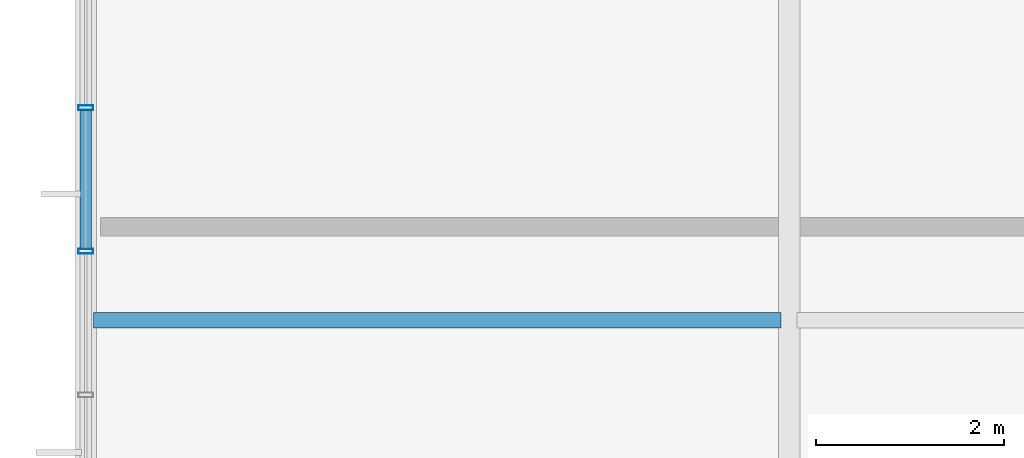
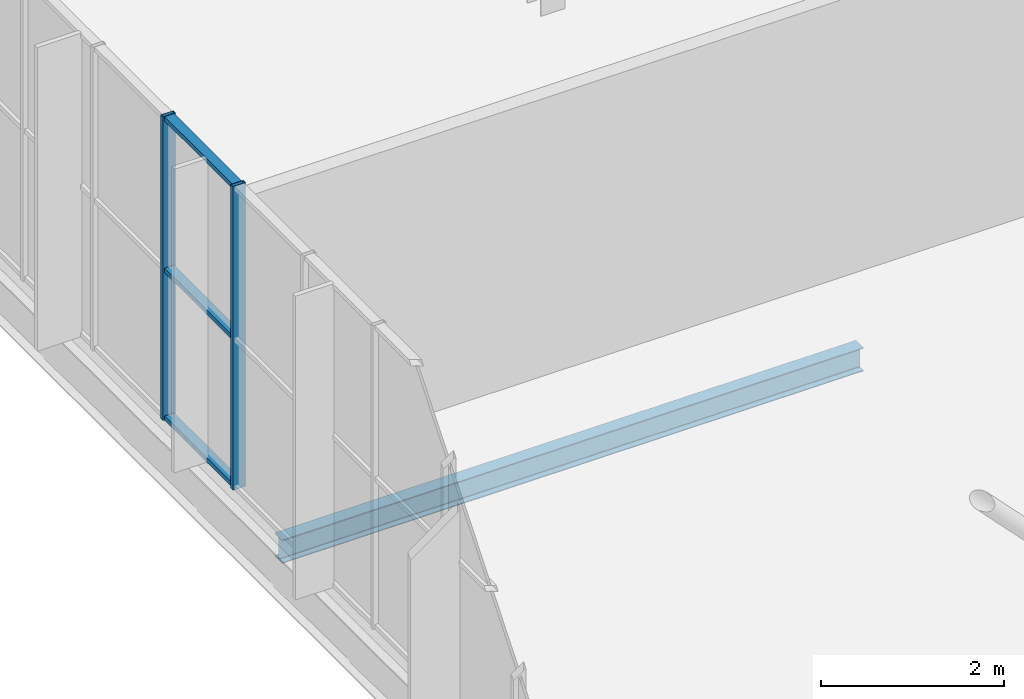
# One storey, part 38 of 324: 5 members, 1 beam, 1 element without a shape of its own.
"""IFC4 building model written with IfcOpenShell, lengths in metres."""

import ifcopenshell
import ifcopenshell.guid

model = None  # the IFC model being written
_history = None  # IfcOwnerHistory: only IFC2X3 demands one
_inside = {}  # id of a spatial element -> (the spatial element, [elements in it])
_under = {}  # id of a project, library or spatial element -> (it, [spatial elements below it])
_declared = {}  # id of a project -> (the project, [libraries it declares])
_typed = {}  # id of a type object -> (the type object, [elements of that type])
_made_of = {}  # id of a material, layer set ... -> (it, [elements and type objects made of it])


def new_model(schema):
    """Start an empty IFC model of exactly this schema.

    Asked for "IFC4X3", IfcOpenShell would pick the latest addendum, in which some entities
    have other attributes; the version numbers below select the first issue.
    IFC2X3 requires an IfcOwnerHistory on every rooted entity: one is made here for all.
    """
    global model, _history
    if schema == "IFC4X3":
        model = ifcopenshell.file(schema_version=(4, 3, 0, 0))
    else:
        model = ifcopenshell.file(schema=schema)
    _inside.clear()
    _under.clear()
    _declared.clear()
    _typed.clear()
    _made_of.clear()
    _history = None
    if model.schema == "IFC2X3":
        org = make("IfcOrganization", Name="unknown")
        user = make(
            "IfcPersonAndOrganization",
            ThePerson=make("IfcPerson", FamilyName="unknown"),
            TheOrganization=org,
        )
        app = make(
            "IfcApplication",
            ApplicationDeveloper=org,
            Version="unknown",
            ApplicationFullName="unknown",
            ApplicationIdentifier="unknown",
        )
        _history = make(
            "IfcOwnerHistory",
            OwningUser=user,
            OwningApplication=app,
            ChangeAction="ADDED",
            CreationDate=0,
        )
    return model


def make(cls, **values):
    """One entity of the class cls with the attributes given. An attribute that is None is left unset."""
    return model.create_entity(
        cls, **{name: value for name, value in values.items() if value is not None}
    )


def rooted(cls, **values):
    """An entity with a GlobalId (a new one), such as an element, a storey or a relation."""
    return make(cls, GlobalId=ifcopenshell.guid.new(), OwnerHistory=_history, **values)


def si_unit(unit_type, name, prefix=None):
    """IfcSIUnit, for example si_unit("LENGTHUNIT", "METRE", prefix="MILLI")."""
    return make("IfcSIUnit", UnitType=unit_type, Prefix=prefix, Name=name)


def assignment(units):
    """IfcUnitAssignment: the units of a project."""
    return None if units is None else make("IfcUnitAssignment", Units=units)


def point(xyz):
    """IfcCartesianPoint."""
    return None if xyz is None else make("IfcCartesianPoint", Coordinates=xyz)


def direction(xyz):
    """IfcDirection."""
    return None if xyz is None else make("IfcDirection", DirectionRatios=xyz)


def frame(location, z_axis=None, x_axis=None):
    """IfcAxis2Placement3D, a coordinate frame: its origin and axes. An axis left out is left unset."""
    return make(
        "IfcAxis2Placement3D",
        Location=point(location),
        Axis=direction(z_axis),
        RefDirection=direction(x_axis),
    )


def frame_2d(location, x_axis=None):
    """IfcAxis2Placement2D, a coordinate frame in the plane: its origin and x axis."""
    return make(
        "IfcAxis2Placement2D", Location=point(location), RefDirection=direction(x_axis)
    )


def origin():
    """The frame at (0, 0, 0) with its axes left unset."""
    return frame((0.0, 0.0, 0.0))


def origin_2d():
    """The frame at (0, 0) in the plane with its x axis left unset."""
    return frame_2d((0.0, 0.0))


def place(relative_to, where):
    """IfcLocalPlacement: puts the frame where relative to a parent placement (None: the world)."""
    return make(
        "IfcLocalPlacement", PlacementRelTo=relative_to, RelativePlacement=where
    )


def context(
    kind, dimensions, precision=None, world=None, true_north=None, identifier=None
):
    """IfcGeometricRepresentationContext, for example the 3D "Model" context."""
    return make(
        "IfcGeometricRepresentationContext",
        ContextIdentifier=identifier,
        ContextType=kind,
        CoordinateSpaceDimension=dimensions,
        Precision=precision,
        WorldCoordinateSystem=world,
        TrueNorth=true_north,
    )


def subcontext(parent, identifier, kind, view, scale=None):
    """IfcGeometricRepresentationSubContext, for example "Body" below "Model"."""
    return make(
        "IfcGeometricRepresentationSubContext",
        ContextIdentifier=identifier,
        ContextType=kind,
        ParentContext=parent,
        TargetScale=scale,
        TargetView=view,
    )


def project(units=None, contexts=None):
    """IfcProject with its units and contexts."""
    return rooted(
        "IfcProject",
        Name="project",
        RepresentationContexts=contexts,
        UnitsInContext=assignment(units),
    )


def spatial(cls, under=None, at=None, **own):
    """A site, building, storey or space (cls), placed at a placement, below another one or the project."""
    s = rooted(cls, ObjectPlacement=at, **own)
    if under is not None:
        _under.setdefault(under.id(), (under, []))[1].append(s)
    return s


def profile(cls, at=None, kind="AREA", **sizes):
    """A parametric profile (cls). Its sizes go by their IFC names, for example OverallWidth=200.0."""
    return make(cls, ProfileType=kind, Position=at, **sizes)


def hollow_rectangle(**sizes):
    """IfcRectangleHollowProfileDef."""
    return profile("IfcRectangleHollowProfileDef", **sizes)


def i_section(**sizes):
    """IfcIShapeProfileDef."""
    return profile("IfcIShapeProfileDef", **sizes)


def extrude(swept, where, along, depth):
    """IfcExtrudedAreaSolid: the profile swept, set in the frame where, extruded along a direction by depth."""
    return make(
        "IfcExtrudedAreaSolid",
        SweptArea=swept,
        Position=where,
        ExtrudedDirection=direction(along),
        Depth=depth,
    )


def shape(context_of_items, identifier, shape_type, items):
    """IfcShapeRepresentation: the items that make up one representation, for example the "Body"."""
    return make(
        "IfcShapeRepresentation",
        ContextOfItems=context_of_items,
        RepresentationIdentifier=identifier,
        RepresentationType=shape_type,
        Items=items,
    )


def material(Name=None, Category=None):
    """IfcMaterial."""
    return make("IfcMaterial", Name=Name, Category=Category)


def layer(
    of_material, thickness, ventilated=None, Name=None, Category=None, Priority=None
):
    """IfcMaterialLayer: one layer of a wall or slab, of a material (None: an air gap)."""
    return make(
        "IfcMaterialLayer",
        Material=of_material,
        LayerThickness=thickness,
        IsVentilated=ventilated,
        Name=Name,
        Category=Category,
        Priority=Priority,
    )


def layer_set(layers, Name=None):
    """IfcMaterialLayerSet."""
    return make("IfcMaterialLayerSet", MaterialLayers=layers, LayerSetName=Name)


def material_profile(
    of_material, cross_section, Name=None, Category=None, Priority=None
):
    """IfcMaterialProfile: a cross section and its material."""
    return make(
        "IfcMaterialProfile",
        Name=Name,
        Material=of_material,
        Profile=cross_section,
        Priority=Priority,
        Category=Category,
    )


def profile_set(profiles, Name=None, composite=None):
    """IfcMaterialProfileSet."""
    return make(
        "IfcMaterialProfileSet",
        Name=Name,
        MaterialProfiles=profiles,
        CompositeProfile=composite,
    )


def made_of(thing, what):
    """Note that an element or type object is made of a material, layer set ...; save() writes the relation."""
    if what is not None:
        _made_of.setdefault(what.id(), (what, []))[1].append(thing)
    return thing


def type_object(cls, material=None, **own):
    """A type object (cls), such as IfcWallType, which elements share."""
    return made_of(rooted(cls, **own), material)


def element(
    cls,
    number,
    at=None,
    inside=None,
    cuts=None,
    type_object=None,
    material=None,
    context=None,
    identifier="Body",
    shape_type=None,
    held_by="IfcProductDefinitionShape",
    body=None,
    shapes=None,
    **own,
):
    """One element of the class cls, such as IfcWall. Its Tag is "e" and its number.

    at: its placement. inside: the storey or other place that contains it. cuts: it is an
    opening in that element (IfcRelVoidsElement). A single representation is given by context,
    identifier, shape_type and body (its items); several are given by shapes. held_by: the class
    of the entity that holds the representations. save() writes the other relations.
    """
    e = rooted(cls, Tag="e%d" % number, ObjectPlacement=at, **own)
    if body is not None:
        shapes = [shape(context, identifier, shape_type, body)]
    if shapes is not None:
        e.Representation = make(held_by, Representations=shapes)
    if inside is not None:
        _inside.setdefault(inside.id(), (inside, []))[1].append(e)
    if cuts is not None:
        rooted(
            "IfcRelVoidsElement", RelatingBuildingElement=cuts, RelatedOpeningElement=e
        )
    if type_object is not None:
        _typed.setdefault(type_object.id(), (type_object, []))[1].append(e)
    return made_of(e, material)


def aggregate(whole, parts):
    """IfcRelAggregates: a whole, such as a stair, and the parts it consists of."""
    return rooted("IfcRelAggregates", RelatingObject=whole, RelatedObjects=parts)


def save(model, path):
    """Write the relations noted so far, then the file.

    IfcRelAggregates (storeys below a building ...), IfcRelContainedInSpatialStructure (elements
    in a storey), IfcRelDefinesByType, IfcRelAssociatesMaterial and IfcRelDeclares: one each for
    every whole, place, type object, material and project.
    """
    for whole, parts in _under.values():
        aggregate(whole, parts)
    for where, things in _inside.values():
        rooted(
            "IfcRelContainedInSpatialStructure",
            RelatedElements=things,
            RelatingStructure=where,
        )
    for kind, things in _typed.values():
        rooted("IfcRelDefinesByType", RelatedObjects=things, RelatingType=kind)
    for what, things in _made_of.values():
        rooted("IfcRelAssociatesMaterial", RelatedObjects=things, RelatingMaterial=what)
    for by, libraries in _declared.values():
        rooted("IfcRelDeclares", RelatingContext=by, RelatedDefinitions=libraries)
    model.write(path)


model = new_model("IFC4")

# Units and contexts
model_context = context("Model", 3, precision=1e-05, world=origin(), true_north=direction((0.0, 1.0)))
body_context = subcontext(model_context, "Body", "Model", "MODEL_VIEW")
ifc_project = project(units=[si_unit("LENGTHUNIT", "METRE"), si_unit("AREAUNIT", "SQUARE_METRE"), si_unit("VOLUMEUNIT", "CUBIC_METRE"), si_unit("PLANEANGLEUNIT", "RADIAN"), si_unit("MASSUNIT", "GRAM", prefix="KILO")], contexts=[model_context])

# Site, building, storey
site_placement = place(None, origin())
site = spatial("IfcSite", under=ifc_project, at=site_placement, CompositionType="ELEMENT")
building_placement = place(site_placement, origin())
building = spatial("IfcBuilding", under=site, at=building_placement, Name="Solvenia Promenade Tram Depot", CompositionType="ELEMENT")
storey_placement = place(building_placement, frame((0.0, 0.0, 4.5)))
storey = spatial("IfcBuildingStorey", under=building, at=storey_placement, Name="L01", CompositionType="ELEMENT", Elevation=4.5)

# Curtain wall, members
ifc_material_1 = material(Name="Anodized aluminium AW-6063 T6", Category="aluminium")
ifc_layer = layer(ifc_material_1, 0.1201171875, Name="Anodized aluminium AW-6063 T6", Category="aluminium")
ifc_layer_set = layer_set([ifc_layer], Name="Anodized aluminium AW-6063 T6")
curtain_wall_type = type_object("IfcCurtainWallType", Name="CW-Wash-1500", PredefinedType="NOTDEFINED", material=ifc_layer_set)
curtain_wall_placement = place(storey_placement, origin())
curtain_wall = element("IfcCurtainWall", 1, at=curtain_wall_placement, inside=storey, type_object=curtain_wall_type, Name="Curtain Wall CW-V3-W-L1-2", PredefinedType="NOTDEFINED")
ifc_material_profile_1 = material_profile(ifc_material_1, hollow_rectangle(XDim=0.159912109375, YDim=0.052001953125, WallThickness=0.00390625, at=origin_2d()), Name="ALU-M1", Category="aluminium")
ifc_profile_set_1 = profile_set([ifc_material_profile_1], Name="Anodized aluminium AW-6063 T6")
member_type_1 = type_object("IfcMemberType", Name="CWM-Mullion-1", PredefinedType="MULLION", material=ifc_profile_set_1)
member_1_placement = place(storey_placement, frame((0.0, 45.735595703125, 0.0), z_axis=(0.0, 0.0, 1.0), x_axis=(-1.0, 0.0, 0.0)))
member_1 = element("IfcMember", 2, at=member_1_placement, type_object=member_type_1, Name="CW-10 mullion 6", PredefinedType="MULLION", context=body_context, shape_type="SweptSolid", body=[
    extrude(hollow_rectangle(XDim=0.159912109375, YDim=0.052001953125, WallThickness=0.00390625, at=origin_2d()), origin(), (0.0, 0.0, 1.0), 4.050048828125),
])
member_2_placement = place(storey_placement, frame((0.0, 47.2666015625, 0.0), z_axis=(0.0, 0.0, 1.0), x_axis=(-1.0, 0.0, 0.0)))
member_2 = element("IfcMember", 3, at=member_2_placement, type_object=member_type_1, Name="CW-10 mullion 7", PredefinedType="MULLION", context=body_context, shape_type="SweptSolid", body=[
    extrude(hollow_rectangle(XDim=0.159912109375, YDim=0.052001953125, WallThickness=0.00390625, at=origin_2d()), origin(), (0.0, 0.0, 1.0), 4.050048828125),
])
ifc_material_profile_2 = material_profile(ifc_material_1, hollow_rectangle(XDim=0.1201171875, YDim=0.06005859375, WallThickness=0.00390625, at=origin_2d()), Name="ALU-T1", Category="aluminium")
ifc_profile_set_2 = profile_set([ifc_material_profile_2], Name="Anodized aluminium AW-6063 T6")
member_type_2 = type_object("IfcMemberType", Name="CWT-Transom-1", PredefinedType="USERDEFINED", material=ifc_profile_set_2)
member_3_placement = place(storey_placement, frame((0.0, 45.761474609375, 0.030029296875), z_axis=(0.0, 1.0, 0.0), x_axis=(-1.0, 0.0, 0.0)))
member_3 = element("IfcMember", 4, at=member_3_placement, type_object=member_type_2, Name="CW-10 transom 6.1", ObjectType="TRANSOM", PredefinedType="USERDEFINED", context=body_context, shape_type="SweptSolid", body=[
    extrude(hollow_rectangle(XDim=0.1201171875, YDim=0.06005859375, WallThickness=0.00390625, at=origin_2d()), origin(), (0.0, 0.0, 1.0), 1.479248046875),
])
member_4_placement = place(storey_placement, frame((0.0, 45.761474609375, 2.0), z_axis=(0.0, 1.0, 0.0), x_axis=(-1.0, 0.0, 0.0)))
member_4 = element("IfcMember", 5, at=member_4_placement, type_object=member_type_2, Name="CW-10 transom 6.2", ObjectType="TRANSOM", PredefinedType="USERDEFINED", context=body_context, shape_type="SweptSolid", body=[
    extrude(hollow_rectangle(XDim=0.1201171875, YDim=0.06005859375, WallThickness=0.00390625, at=origin_2d()), origin(), (0.0, 0.0, 1.0), 1.479248046875),
])
member_5_placement = place(storey_placement, frame((0.0, 45.761474609375, 4.02001953125), z_axis=(0.0, 1.0, 0.0), x_axis=(-1.0, 0.0, 0.0)))
member_5 = element("IfcMember", 6, at=member_5_placement, type_object=member_type_2, Name="CW-10 transom 6.3", ObjectType="TRANSOM", PredefinedType="USERDEFINED", context=body_context, shape_type="SweptSolid", body=[
    extrude(hollow_rectangle(XDim=0.1201171875, YDim=0.06005859375, WallThickness=0.00390625, at=origin_2d()), origin(), (0.0, 0.0, 1.0), 1.479248046875),
])
aggregate(curtain_wall, [member_1, member_2, member_3, member_4, member_5])

# Beam
ifc_material_2 = material(Name="Structural steel ASTM A992 Gr. 50", Category="steel")
ifc_material_profile_3 = material_profile(ifc_material_2, i_section(OverallWidth=0.166015625, OverallDepth=0.31298828125, WebThickness=0.006591796875, FlangeThickness=0.01123046875, FilletRadius=0.010009765625, at=origin_2d()), Name="W310x45", Category="steel")
ifc_profile_set_3 = profile_set([ifc_material_profile_3], Name="Structural steel ASTM A992 Gr. 50")
beam_type = type_object("IfcBeamType", Name="Joist-W310x45", PredefinedType="JOIST", material=ifc_profile_set_3)
beam_placement = place(storey_placement, frame((0.0849609375, 45.0, -0.396484375), z_axis=(1.0, 0.0, 0.0), x_axis=(0.0, 1.0, 0.0)))
element("IfcBeam", 7, at=beam_placement, inside=storey, type_object=beam_type, Name="Secondary Floor Joist BM-L01-0254", PredefinedType="JOIST", context=body_context, shape_type="SweptSolid", body=[
    extrude(i_section(OverallWidth=0.166015625, OverallDepth=0.31298828125, WebThickness=0.006591796875, FlangeThickness=0.01123046875, FilletRadius=0.010009765625, at=origin_2d()), origin(), (0.0, 0.0, 1.0), 7.330078125),
])

save(model, "model.ifc")
